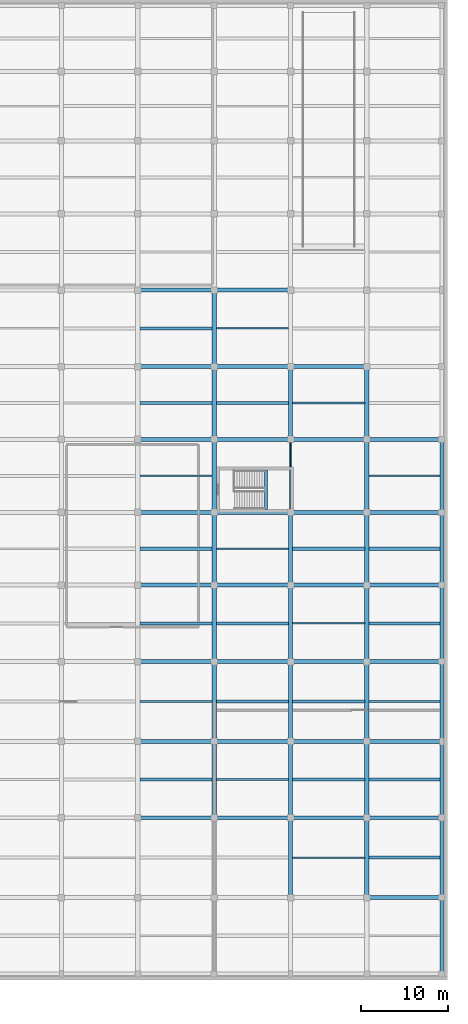
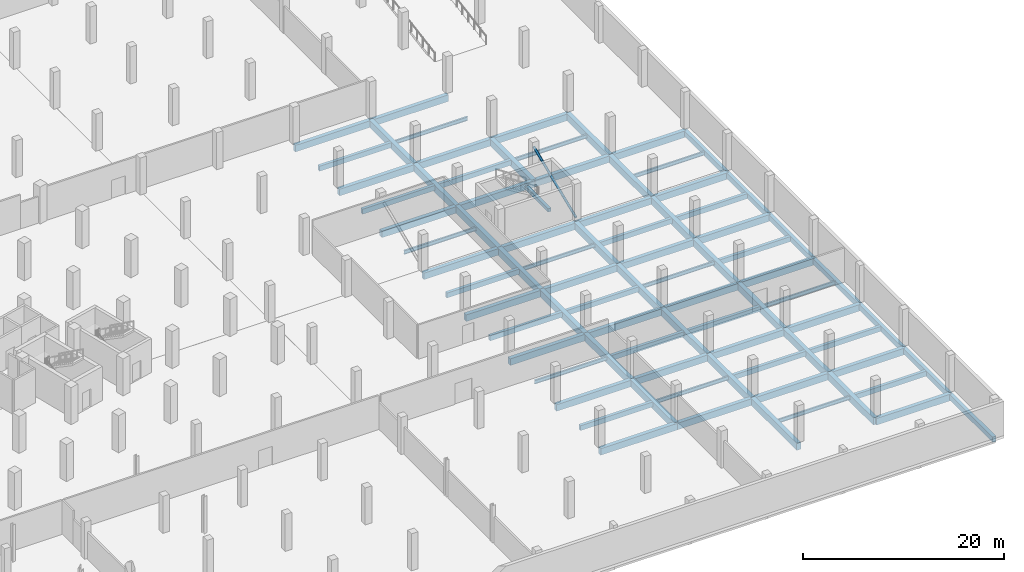
# One storey, part 15 of 31: 83 beams, 1 member.
"""IFC4 building model written with IfcOpenShell, lengths in metres."""

from ifc_helpers import new_model, si_unit, direction, frame, origin, origin_2d, place, context, subcontext, project, spatial, rectangle, hollow_circle, i_section, extrude, material, material_profile, profile_set, type_object, element, save


model = new_model("IFC4")

# Units and contexts
model_context = context("Model", 3, precision=1e-05, world=origin(), true_north=direction((0.0, 1.0)))
body_context = subcontext(model_context, "Body", "Model", "MODEL_VIEW")
ifc_project = project(units=[si_unit("LENGTHUNIT", "METRE"), si_unit("AREAUNIT", "SQUARE_METRE"), si_unit("VOLUMEUNIT", "CUBIC_METRE"), si_unit("PLANEANGLEUNIT", "RADIAN"), si_unit("MASSUNIT", "GRAM", prefix="KILO")], contexts=[model_context])

# Site, building, storey
site_placement = place(None, origin())
site = spatial("IfcSite", under=ifc_project, at=site_placement, CompositionType="ELEMENT")
building_placement = place(site_placement, origin())
building = spatial("IfcBuilding", under=site, at=building_placement, Name="Meriwether Solvik Hall", CompositionType="ELEMENT")
storey_placement = place(building_placement, frame((0.0, 0.0, -4.5)))
storey = spatial("IfcBuildingStorey", under=building, at=storey_placement, Name="B01", CompositionType="ELEMENT", Elevation=-4.5)

# Beams
ifc_material_1 = material(Name="Concrete C40/50", Category="concrete")
ifc_material_profile_1 = material_profile(ifc_material_1, rectangle(XDim=0.35009765625, YDim=0.419921875, at=origin_2d()), Name="RCB-350X420")
ifc_profile_set_1 = profile_set([ifc_material_profile_1], Name="Concrete C40/50")
beam_type_1 = type_object("IfcBeamType", Name="BM-LND-RC-350X420", PredefinedType="BEAM", material=ifc_profile_set_1)
beam_1_placement = place(storey_placement, frame((146.550048828125, 58.72998046875, 1.840087890625), z_axis=(0.0, 1.0, 0.0), x_axis=(-1.0, 0.0, 0.0)))
element("IfcBeam", 1, at=beam_1_placement, inside=storey, type_object=beam_type_1, Name="Stair ST-05 Half-Landing Header Beam (B01)", PredefinedType="BEAM", context=body_context, shape_type="SweptSolid", body=[
    extrude(rectangle(XDim=0.35009765625, YDim=0.419921875, at=origin_2d()), origin(), (0.0, 0.0, 1.0), 4.5400390625),
])
ifc_material_2 = material(Name="Concrete C40/50", Category="concrete")
ifc_material_profile_2 = material_profile(ifc_material_2, rectangle(XDim=0.35009765625, YDim=0.60009765625, at=origin_2d()), Name="RCB-350X600")
ifc_profile_set_2 = profile_set([ifc_material_profile_2], Name="Concrete C40/50")
beam_type_2 = type_object("IfcBeamType", Name="BM-RC-350X600", PredefinedType="JOIST", material=ifc_profile_set_2)
for number, where, z_axis, x_axis, name in (
    (2, (132.044921875, 27.60009765625, -0.6298828125), (1.0, 0.0, 0.0), (0.0, 1.0, 0.0), "Secondary Floor Joist 15/C (B01)"),
    (3, (132.044921875, 45.60009765625, -0.6298828125), (1.0, 0.0, 0.0), (0.0, 1.0, 0.0), "Secondary Floor Joist 15/E (B01)"),
    (4, (132.044921875, 54.199951171875, -0.6298828125), (1.0, 0.0, 0.0), (0.0, 1.0, 0.0), "Secondary Floor Joist 15/F (B01)"),
    (5, (132.044921875, 71.0, -0.6298828125), (1.0, 0.0, 0.0), (0.0, 1.0, 0.0), "Secondary Floor Joist 15/H (B01)"),
    (6, (132.044921875, 79.60009765625, -0.6298828125), (1.0, 0.0, 0.0), (0.0, 1.0, 0.0), "Secondary Floor Joist 15/I (B01)"),
    (7, (140.844970703125, 36.60009765625, -0.6298828125), (1.0, 0.0, 0.0), (0.0, 1.0, 0.0), "Secondary Floor Joist 16/D (B01)"),
    (8, (140.844970703125, 45.60009765625, -0.6298828125), (1.0, 0.0, 0.0), (0.0, 1.0, 0.0), "Secondary Floor Joist 16/E (B01)"),
    (9, (140.844970703125, 71.0, -0.6298828125), (1.0, 0.0, 0.0), (0.0, 1.0, 0.0), "Secondary Floor Joist 16/H (B01)"),
    (10, (149.64501953125, 27.60009765625, -0.6298828125), (1.0, 0.0, 0.0), (0.0, 1.0, 0.0), "Secondary Floor Joist 17/C (B01)"),
    (11, (149.64501953125, 36.60009765625, -0.6298828125), (1.0, 0.0, 0.0), (0.0, 1.0, 0.0), "Secondary Floor Joist 17/D (B01)"),
    (12, (149.64501953125, 54.199951171875, -0.6298828125), (1.0, 0.0, 0.0), (0.0, 1.0, 0.0), "Secondary Floor Joist 17/F (B01)"),
):
    element("IfcBeam", number, at=place(storey_placement, frame(where, z_axis=z_axis, x_axis=x_axis)), inside=storey, type_object=beam_type_2, Name=name, PredefinedType="JOIST", context=body_context, shape_type="SweptSolid", body=[
        extrude(rectangle(XDim=0.35009765625, YDim=0.60009765625, at=origin_2d()), origin(), (0.0, 0.0, 1.0), 8.31005859375),
    ])
for number, where, z_axis, x_axis, name in (
    (13, (158.445068359375, 18.60009765625, -0.6298828125), (1.0, 0.0, 0.0), (0.0, 1.0, 0.0), "Secondary Floor Joist 18/B (B01)"),
    (14, (158.445068359375, 27.60009765625, -0.6298828125), (1.0, 0.0, 0.0), (0.0, 1.0, 0.0), "Secondary Floor Joist 18/C (B01)"),
    (15, (158.445068359375, 45.60009765625, -0.6298828125), (1.0, 0.0, 0.0), (0.0, 1.0, 0.0), "Secondary Floor Joist 18/E (B01)"),
    (16, (158.445068359375, 54.199951171875, -0.6298828125), (1.0, 0.0, 0.0), (0.0, 1.0, 0.0), "Secondary Floor Joist 18/F (B01)"),
):
    element("IfcBeam", number, at=place(storey_placement, frame(where, z_axis=z_axis, x_axis=x_axis)), inside=storey, type_object=beam_type_2, Name=name, PredefinedType="JOIST", context=body_context, shape_type="SweptSolid", body=[
        extrude(rectangle(XDim=0.35009765625, YDim=0.60009765625, at=origin_2d()), origin(), (0.0, 0.0, 1.0), 8.159912109375),
    ])
ifc_material_3 = material(Name="Concrete C40/50", Category="concrete")
ifc_material_profile_3 = material_profile(ifc_material_3, rectangle(XDim=0.39990234375, YDim=0.64990234375, at=origin_2d()), Name="RCB-400X650")
ifc_profile_set_3 = profile_set([ifc_material_profile_3], Name="Concrete C40/50")
beam_type_3 = type_object("IfcBeamType", Name="BM-RC-400X650", PredefinedType="SPANDREL", material=ifc_profile_set_3)
beam_2_placement = place(storey_placement, frame((166.800048828125, 5.199951171875, -0.655029296875), z_axis=(0.0, 1.0, 0.0), x_axis=(-1.0, 0.0, 0.0)))
element("IfcBeam", 17, at=beam_2_placement, inside=storey, type_object=beam_type_3, Name="Podium Girder 19:A-B (B01)", PredefinedType="SPANDREL", context=body_context, shape_type="SweptSolid", body=[
    extrude(rectangle(XDim=0.39990234375, YDim=0.64990234375, at=origin_2d()), origin(), (0.0, 0.0, 1.0), 8.800048828125),
])
beam_3_placement = place(storey_placement, frame((166.800048828125, 14.0, -0.655029296875), z_axis=(0.0, 1.0, 0.0), x_axis=(-1.0, 0.0, 0.0)))
element("IfcBeam", 18, at=beam_3_placement, inside=storey, type_object=beam_type_3, Name="Podium Girder 19:B-C (B01)", PredefinedType="SPANDREL", context=body_context, shape_type="SweptSolid", body=[
    extrude(rectangle(XDim=0.39990234375, YDim=0.64990234375, at=origin_2d()), origin(), (0.0, 0.0, 1.0), 9.199951171875),
])
beam_4_placement = place(storey_placement, frame((166.800048828125, 23.199951171875, -0.655029296875), z_axis=(0.0, 1.0, 0.0), x_axis=(-1.0, 0.0, 0.0)))
element("IfcBeam", 19, at=beam_4_placement, inside=storey, type_object=beam_type_3, Name="Podium Girder 19:C-D (B01)", PredefinedType="SPANDREL", context=body_context, shape_type="SweptSolid", body=[
    extrude(rectangle(XDim=0.39990234375, YDim=0.64990234375, at=origin_2d()), origin(), (0.0, 0.0, 1.0), 8.800048828125),
])
beam_5_placement = place(storey_placement, frame((166.800048828125, 32.0, -0.655029296875), z_axis=(0.0, 1.0, 0.0), x_axis=(-1.0, 0.0, 0.0)))
element("IfcBeam", 20, at=beam_5_placement, inside=storey, type_object=beam_type_3, Name="Podium Girder 19:D-E (B01)", PredefinedType="SPANDREL", context=body_context, shape_type="SweptSolid", body=[
    extrude(rectangle(XDim=0.39990234375, YDim=0.64990234375, at=origin_2d()), origin(), (0.0, 0.0, 1.0), 9.199951171875),
])
beam_6_placement = place(storey_placement, frame((166.800048828125, 41.199951171875, -0.655029296875), z_axis=(0.0, 1.0, 0.0), x_axis=(-1.0, 0.0, 0.0)))
element("IfcBeam", 21, at=beam_6_placement, inside=storey, type_object=beam_type_3, Name="Podium Girder 19:E-F (B01)", PredefinedType="SPANDREL", context=body_context, shape_type="SweptSolid", body=[
    extrude(rectangle(XDim=0.39990234375, YDim=0.64990234375, at=origin_2d()), origin(), (0.0, 0.0, 1.0), 8.800048828125),
])
beam_7_placement = place(storey_placement, frame((166.800048828125, 50.0, -0.655029296875), z_axis=(0.0, 1.0, 0.0), x_axis=(-1.0, 0.0, 0.0)))
element("IfcBeam", 22, at=beam_7_placement, inside=storey, type_object=beam_type_3, Name="Podium Girder 19:F-G (B01)", PredefinedType="SPANDREL", context=body_context, shape_type="SweptSolid", body=[
    extrude(rectangle(XDim=0.39990234375, YDim=0.64990234375, at=origin_2d()), origin(), (0.0, 0.0, 1.0), 8.39990234375),
])
beam_8_placement = place(storey_placement, frame((166.800048828125, 58.39990234375, -0.655029296875), z_axis=(0.0, 1.0, 0.0), x_axis=(-1.0, 0.0, 0.0)))
element("IfcBeam", 23, at=beam_8_placement, inside=storey, type_object=beam_type_3, Name="Podium Girder 19:G-H (B01)", PredefinedType="SPANDREL", context=body_context, shape_type="SweptSolid", body=[
    extrude(rectangle(XDim=0.39990234375, YDim=0.64990234375, at=origin_2d()), origin(), (0.0, 0.0, 1.0), 8.400146484375),
])
ifc_material_4 = material(Name="Concrete C40/50", Category="concrete")
ifc_material_profile_4 = material_profile(ifc_material_4, rectangle(XDim=0.449951171875, YDim=0.800048828125, at=origin_2d()), Name="RCB-450X800")
ifc_profile_set_4 = profile_set([ifc_material_profile_4], Name="Concrete C40/50")
beam_type_4 = type_object("IfcBeamType", Name="BM-RC-450X800", PredefinedType="BEAM", material=ifc_profile_set_4)
beam_9_placement = place(storey_placement, frame((158.199951171875, 14.0, -0.72998046875), z_axis=(1.0, 0.0, 0.0), x_axis=(0.0, 1.0, 0.0)))
element("IfcBeam", 24, at=beam_9_placement, inside=storey, type_object=beam_type_4, Name="Podium Girder B:18-19 (B01)", PredefinedType="BEAM", context=body_context, shape_type="SweptSolid", body=[
    extrude(rectangle(XDim=0.449951171875, YDim=0.800048828125, at=origin_2d()), origin(), (0.0, 0.0, 1.0), 8.60009765625),
])
beam_10_placement = place(storey_placement, frame((131.800048828125, 23.199951171875, -0.72998046875), z_axis=(1.0, 0.0, 0.0), x_axis=(0.0, 1.0, 0.0)))
element("IfcBeam", 25, at=beam_10_placement, inside=storey, type_object=beam_type_4, Name="Podium Girder C:15-16 (B01)", PredefinedType="BEAM", context=body_context, shape_type="SweptSolid", body=[
    extrude(rectangle(XDim=0.449951171875, YDim=0.800048828125, at=origin_2d()), origin(), (0.0, 0.0, 1.0), 8.800048828125),
])
beam_11_placement = place(storey_placement, frame((140.60009765625, 23.199951171875, -0.72998046875), z_axis=(1.0, 0.0, 0.0), x_axis=(0.0, 1.0, 0.0)))
element("IfcBeam", 26, at=beam_11_placement, inside=storey, type_object=beam_type_4, Name="Podium Girder C:16-17 (B01)", PredefinedType="BEAM", context=body_context, shape_type="SweptSolid", body=[
    extrude(rectangle(XDim=0.449951171875, YDim=0.800048828125, at=origin_2d()), origin(), (0.0, 0.0, 1.0), 8.7998046875),
])
beam_12_placement = place(storey_placement, frame((149.39990234375, 23.199951171875, -0.72998046875), z_axis=(1.0, 0.0, 0.0), x_axis=(0.0, 1.0, 0.0)))
element("IfcBeam", 27, at=beam_12_placement, inside=storey, type_object=beam_type_4, Name="Podium Girder C:17-18 (B01)", PredefinedType="BEAM", context=body_context, shape_type="SweptSolid", body=[
    extrude(rectangle(XDim=0.449951171875, YDim=0.800048828125, at=origin_2d()), origin(), (0.0, 0.0, 1.0), 8.800048828125),
])
beam_13_placement = place(storey_placement, frame((158.199951171875, 23.199951171875, -0.72998046875), z_axis=(1.0, 0.0, 0.0), x_axis=(0.0, 1.0, 0.0)))
element("IfcBeam", 28, at=beam_13_placement, inside=storey, type_object=beam_type_4, Name="Podium Girder C:18-19 (B01)", PredefinedType="BEAM", context=body_context, shape_type="SweptSolid", body=[
    extrude(rectangle(XDim=0.449951171875, YDim=0.800048828125, at=origin_2d()), origin(), (0.0, 0.0, 1.0), 8.60009765625),
])
beam_14_placement = place(storey_placement, frame((131.800048828125, 32.0, -0.72998046875), z_axis=(1.0, 0.0, 0.0), x_axis=(0.0, 1.0, 0.0)))
element("IfcBeam", 29, at=beam_14_placement, inside=storey, type_object=beam_type_4, Name="Podium Girder D:15-16 (B01)", PredefinedType="BEAM", context=body_context, shape_type="SweptSolid", body=[
    extrude(rectangle(XDim=0.449951171875, YDim=0.800048828125, at=origin_2d()), origin(), (0.0, 0.0, 1.0), 8.800048828125),
])
beam_15_placement = place(storey_placement, frame((140.60009765625, 32.0, -0.72998046875), z_axis=(1.0, 0.0, 0.0), x_axis=(0.0, 1.0, 0.0)))
element("IfcBeam", 30, at=beam_15_placement, inside=storey, type_object=beam_type_4, Name="Podium Girder D:16-17 (B01)", PredefinedType="BEAM", context=body_context, shape_type="SweptSolid", body=[
    extrude(rectangle(XDim=0.449951171875, YDim=0.800048828125, at=origin_2d()), origin(), (0.0, 0.0, 1.0), 8.7998046875),
])
beam_16_placement = place(storey_placement, frame((149.39990234375, 32.0, -0.72998046875), z_axis=(1.0, 0.0, 0.0), x_axis=(0.0, 1.0, 0.0)))
element("IfcBeam", 31, at=beam_16_placement, inside=storey, type_object=beam_type_4, Name="Podium Girder D:17-18 (B01)", PredefinedType="BEAM", context=body_context, shape_type="SweptSolid", body=[
    extrude(rectangle(XDim=0.449951171875, YDim=0.800048828125, at=origin_2d()), origin(), (0.0, 0.0, 1.0), 8.800048828125),
])
beam_17_placement = place(storey_placement, frame((158.199951171875, 32.0, -0.72998046875), z_axis=(1.0, 0.0, 0.0), x_axis=(0.0, 1.0, 0.0)))
element("IfcBeam", 32, at=beam_17_placement, inside=storey, type_object=beam_type_4, Name="Podium Girder D:18-19 (B01)", PredefinedType="BEAM", context=body_context, shape_type="SweptSolid", body=[
    extrude(rectangle(XDim=0.449951171875, YDim=0.800048828125, at=origin_2d()), origin(), (0.0, 0.0, 1.0), 8.60009765625),
])
beam_18_placement = place(storey_placement, frame((131.800048828125, 41.199951171875, -0.72998046875), z_axis=(1.0, 0.0, 0.0), x_axis=(0.0, 1.0, 0.0)))
element("IfcBeam", 33, at=beam_18_placement, inside=storey, type_object=beam_type_4, Name="Podium Girder E:15-16 (B01)", PredefinedType="BEAM", context=body_context, shape_type="SweptSolid", body=[
    extrude(rectangle(XDim=0.449951171875, YDim=0.800048828125, at=origin_2d()), origin(), (0.0, 0.0, 1.0), 8.800048828125),
])
beam_19_placement = place(storey_placement, frame((140.60009765625, 41.199951171875, -0.72998046875), z_axis=(1.0, 0.0, 0.0), x_axis=(0.0, 1.0, 0.0)))
element("IfcBeam", 34, at=beam_19_placement, inside=storey, type_object=beam_type_4, Name="Podium Girder E:16-17 (B01)", PredefinedType="BEAM", context=body_context, shape_type="SweptSolid", body=[
    extrude(rectangle(XDim=0.449951171875, YDim=0.800048828125, at=origin_2d()), origin(), (0.0, 0.0, 1.0), 8.7998046875),
])
beam_20_placement = place(storey_placement, frame((149.39990234375, 41.199951171875, -0.72998046875), z_axis=(1.0, 0.0, 0.0), x_axis=(0.0, 1.0, 0.0)))
element("IfcBeam", 35, at=beam_20_placement, inside=storey, type_object=beam_type_4, Name="Podium Girder E:17-18 (B01)", PredefinedType="BEAM", context=body_context, shape_type="SweptSolid", body=[
    extrude(rectangle(XDim=0.449951171875, YDim=0.800048828125, at=origin_2d()), origin(), (0.0, 0.0, 1.0), 8.800048828125),
])
beam_21_placement = place(storey_placement, frame((158.199951171875, 41.199951171875, -0.72998046875), z_axis=(1.0, 0.0, 0.0), x_axis=(0.0, 1.0, 0.0)))
element("IfcBeam", 36, at=beam_21_placement, inside=storey, type_object=beam_type_4, Name="Podium Girder E:18-19 (B01)", PredefinedType="BEAM", context=body_context, shape_type="SweptSolid", body=[
    extrude(rectangle(XDim=0.449951171875, YDim=0.800048828125, at=origin_2d()), origin(), (0.0, 0.0, 1.0), 8.60009765625),
])
beam_22_placement = place(storey_placement, frame((131.800048828125, 50.0, -0.72998046875), z_axis=(1.0, 0.0, 0.0), x_axis=(0.0, 1.0, 0.0)))
element("IfcBeam", 37, at=beam_22_placement, inside=storey, type_object=beam_type_4, Name="Podium Girder F:15-16 (B01)", PredefinedType="BEAM", context=body_context, shape_type="SweptSolid", body=[
    extrude(rectangle(XDim=0.449951171875, YDim=0.800048828125, at=origin_2d()), origin(), (0.0, 0.0, 1.0), 8.800048828125),
])
beam_23_placement = place(storey_placement, frame((140.60009765625, 50.0, -0.72998046875), z_axis=(1.0, 0.0, 0.0), x_axis=(0.0, 1.0, 0.0)))
element("IfcBeam", 38, at=beam_23_placement, inside=storey, type_object=beam_type_4, Name="Podium Girder F:16-17 (B01)", PredefinedType="BEAM", context=body_context, shape_type="SweptSolid", body=[
    extrude(rectangle(XDim=0.449951171875, YDim=0.800048828125, at=origin_2d()), origin(), (0.0, 0.0, 1.0), 8.7998046875),
])
beam_24_placement = place(storey_placement, frame((149.39990234375, 50.0, -0.72998046875), z_axis=(1.0, 0.0, 0.0), x_axis=(0.0, 1.0, 0.0)))
element("IfcBeam", 39, at=beam_24_placement, inside=storey, type_object=beam_type_4, Name="Podium Girder F:17-18 (B01)", PredefinedType="BEAM", context=body_context, shape_type="SweptSolid", body=[
    extrude(rectangle(XDim=0.449951171875, YDim=0.800048828125, at=origin_2d()), origin(), (0.0, 0.0, 1.0), 8.800048828125),
])
beam_25_placement = place(storey_placement, frame((158.199951171875, 50.0, -0.72998046875), z_axis=(1.0, 0.0, 0.0), x_axis=(0.0, 1.0, 0.0)))
element("IfcBeam", 40, at=beam_25_placement, inside=storey, type_object=beam_type_4, Name="Podium Girder F:18-19 (B01)", PredefinedType="BEAM", context=body_context, shape_type="SweptSolid", body=[
    extrude(rectangle(XDim=0.449951171875, YDim=0.800048828125, at=origin_2d()), origin(), (0.0, 0.0, 1.0), 8.60009765625),
])
beam_26_placement = place(storey_placement, frame((131.800048828125, 58.39990234375, -0.72998046875), z_axis=(1.0, 0.0, 0.0), x_axis=(0.0, 1.0, 0.0)))
element("IfcBeam", 41, at=beam_26_placement, inside=storey, type_object=beam_type_4, Name="Podium Girder G:15-16 (B01)", PredefinedType="BEAM", context=body_context, shape_type="SweptSolid", body=[
    extrude(rectangle(XDim=0.449951171875, YDim=0.800048828125, at=origin_2d()), origin(), (0.0, 0.0, 1.0), 8.800048828125),
])
beam_27_placement = place(storey_placement, frame((140.60009765625, 58.39990234375, -0.72998046875), z_axis=(1.0, 0.0, 0.0), x_axis=(0.0, 1.0, 0.0)))
element("IfcBeam", 42, at=beam_27_placement, inside=storey, type_object=beam_type_4, Name="Podium Girder G:16-17 (B01)", PredefinedType="BEAM", context=body_context, shape_type="SweptSolid", body=[
    extrude(rectangle(XDim=0.449951171875, YDim=0.800048828125, at=origin_2d()), origin(), (0.0, 0.0, 1.0), 8.7998046875),
])
beam_28_placement = place(storey_placement, frame((149.39990234375, 58.39990234375, -0.72998046875), z_axis=(1.0, 0.0, 0.0), x_axis=(0.0, 1.0, 0.0)))
element("IfcBeam", 43, at=beam_28_placement, inside=storey, type_object=beam_type_4, Name="Podium Girder G:17-18 (B01)", PredefinedType="BEAM", context=body_context, shape_type="SweptSolid", body=[
    extrude(rectangle(XDim=0.449951171875, YDim=0.800048828125, at=origin_2d()), origin(), (0.0, 0.0, 1.0), 8.800048828125),
])
beam_29_placement = place(storey_placement, frame((158.199951171875, 58.39990234375, -0.72998046875), z_axis=(1.0, 0.0, 0.0), x_axis=(0.0, 1.0, 0.0)))
element("IfcBeam", 44, at=beam_29_placement, inside=storey, type_object=beam_type_4, Name="Podium Girder G:18-19 (B01)", PredefinedType="BEAM", context=body_context, shape_type="SweptSolid", body=[
    extrude(rectangle(XDim=0.449951171875, YDim=0.800048828125, at=origin_2d()), origin(), (0.0, 0.0, 1.0), 8.60009765625),
])
beam_30_placement = place(storey_placement, frame((131.800048828125, 66.800048828125, -0.72998046875), z_axis=(1.0, 0.0, 0.0), x_axis=(0.0, 1.0, 0.0)))
element("IfcBeam", 45, at=beam_30_placement, inside=storey, type_object=beam_type_4, Name="Podium Girder H:15-16 (B01)", PredefinedType="BEAM", context=body_context, shape_type="SweptSolid", body=[
    extrude(rectangle(XDim=0.449951171875, YDim=0.800048828125, at=origin_2d()), origin(), (0.0, 0.0, 1.0), 8.800048828125),
])
beam_31_placement = place(storey_placement, frame((140.60009765625, 66.800048828125, -0.72998046875), z_axis=(1.0, 0.0, 0.0), x_axis=(0.0, 1.0, 0.0)))
element("IfcBeam", 46, at=beam_31_placement, inside=storey, type_object=beam_type_4, Name="Podium Girder H:16-17 (B01)", PredefinedType="BEAM", context=body_context, shape_type="SweptSolid", body=[
    extrude(rectangle(XDim=0.449951171875, YDim=0.800048828125, at=origin_2d()), origin(), (0.0, 0.0, 1.0), 8.7998046875),
])
beam_32_placement = place(storey_placement, frame((149.39990234375, 66.800048828125, -0.72998046875), z_axis=(1.0, 0.0, 0.0), x_axis=(0.0, 1.0, 0.0)))
element("IfcBeam", 47, at=beam_32_placement, inside=storey, type_object=beam_type_4, Name="Podium Girder H:17-18 (B01)", PredefinedType="BEAM", context=body_context, shape_type="SweptSolid", body=[
    extrude(rectangle(XDim=0.449951171875, YDim=0.800048828125, at=origin_2d()), origin(), (0.0, 0.0, 1.0), 8.800048828125),
])
beam_33_placement = place(storey_placement, frame((158.199951171875, 66.800048828125, -0.72998046875), z_axis=(1.0, 0.0, 0.0), x_axis=(0.0, 1.0, 0.0)))
element("IfcBeam", 48, at=beam_33_placement, inside=storey, type_object=beam_type_4, Name="Podium Girder H:18-19 (B01)", PredefinedType="BEAM", context=body_context, shape_type="SweptSolid", body=[
    extrude(rectangle(XDim=0.449951171875, YDim=0.800048828125, at=origin_2d()), origin(), (0.0, 0.0, 1.0), 8.60009765625),
])
beam_34_placement = place(storey_placement, frame((131.800048828125, 75.199951171875, -0.72998046875), z_axis=(1.0, 0.0, 0.0), x_axis=(0.0, 1.0, 0.0)))
element("IfcBeam", 49, at=beam_34_placement, inside=storey, type_object=beam_type_4, Name="Podium Girder I:15-16 (B01)", PredefinedType="BEAM", context=body_context, shape_type="SweptSolid", body=[
    extrude(rectangle(XDim=0.449951171875, YDim=0.800048828125, at=origin_2d()), origin(), (0.0, 0.0, 1.0), 8.800048828125),
])
beam_35_placement = place(storey_placement, frame((140.60009765625, 75.199951171875, -0.72998046875), z_axis=(1.0, 0.0, 0.0), x_axis=(0.0, 1.0, 0.0)))
element("IfcBeam", 50, at=beam_35_placement, inside=storey, type_object=beam_type_4, Name="Podium Girder I:16-17 (B01)", PredefinedType="BEAM", context=body_context, shape_type="SweptSolid", body=[
    extrude(rectangle(XDim=0.449951171875, YDim=0.800048828125, at=origin_2d()), origin(), (0.0, 0.0, 1.0), 8.7998046875),
])
for number, where, z_axis, x_axis, name in (
    (51, (149.39990234375, 75.199951171875, -0.72998046875), (1.0, 0.0, 0.0), (0.0, 1.0, 0.0), "Podium Girder I:17-18 (B01)"),
    (52, (131.800048828125, 84.0, -0.72998046875), (1.0, 0.0, 0.0), (0.0, 1.0, 0.0), "Podium Girder J:15-16 (B01)"),
):
    element("IfcBeam", number, at=place(storey_placement, frame(where, z_axis=z_axis, x_axis=x_axis)), inside=storey, type_object=beam_type_4, Name=name, PredefinedType="BEAM", context=body_context, shape_type="SweptSolid", body=[
        extrude(rectangle(XDim=0.449951171875, YDim=0.800048828125, at=origin_2d()), origin(), (0.0, 0.0, 1.0), 8.800048828125),
    ])
beam_36_placement = place(storey_placement, frame((140.60009765625, 84.0, -0.72998046875), z_axis=(1.0, 0.0, 0.0), x_axis=(0.0, 1.0, 0.0)))
element("IfcBeam", 53, at=beam_36_placement, inside=storey, type_object=beam_type_4, Name="Podium Girder J:16-17 (B01)", PredefinedType="BEAM", context=body_context, shape_type="SweptSolid", body=[
    extrude(rectangle(XDim=0.449951171875, YDim=0.800048828125, at=origin_2d()), origin(), (0.0, 0.0, 1.0), 8.7998046875),
])
ifc_material_5 = material(Name="Concrete C40/50", Category="concrete")
ifc_material_profile_5 = material_profile(ifc_material_5, rectangle(XDim=0.5, YDim=0.85009765625, at=origin_2d()), Name="RCB-500X850")
ifc_profile_set_5 = profile_set([ifc_material_profile_5], Name="Concrete C40/50")
beam_type_5 = type_object("IfcBeamType", Name="BM-RC-500X850", PredefinedType="BEAM", material=ifc_profile_set_5)
beam_37_placement = place(storey_placement, frame((140.60009765625, 23.199951171875, -0.7548828125), z_axis=(0.0, 1.0, 0.0), x_axis=(-1.0, 0.0, 0.0)))
element("IfcBeam", 54, at=beam_37_placement, inside=storey, type_object=beam_type_5, Name="Podium Girder 16:C-D (B01)", PredefinedType="BEAM", context=body_context, shape_type="SweptSolid", body=[
    extrude(rectangle(XDim=0.5, YDim=0.85009765625, at=origin_2d()), origin(), (0.0, 0.0, 1.0), 8.800048828125),
])
beam_38_placement = place(storey_placement, frame((140.60009765625, 32.0, -0.7548828125), z_axis=(0.0, 1.0, 0.0), x_axis=(-1.0, 0.0, 0.0)))
element("IfcBeam", 55, at=beam_38_placement, inside=storey, type_object=beam_type_5, Name="Podium Girder 16:D-E (B01)", PredefinedType="BEAM", context=body_context, shape_type="SweptSolid", body=[
    extrude(rectangle(XDim=0.5, YDim=0.85009765625, at=origin_2d()), origin(), (0.0, 0.0, 1.0), 9.199951171875),
])
beam_39_placement = place(storey_placement, frame((140.60009765625, 41.199951171875, -0.7548828125), z_axis=(0.0, 1.0, 0.0), x_axis=(-1.0, 0.0, 0.0)))
element("IfcBeam", 56, at=beam_39_placement, inside=storey, type_object=beam_type_5, Name="Podium Girder 16:E-F (B01)", PredefinedType="BEAM", context=body_context, shape_type="SweptSolid", body=[
    extrude(rectangle(XDim=0.5, YDim=0.85009765625, at=origin_2d()), origin(), (0.0, 0.0, 1.0), 8.800048828125),
])
beam_40_placement = place(storey_placement, frame((140.60009765625, 50.0, -0.7548828125), z_axis=(0.0, 1.0, 0.0), x_axis=(-1.0, 0.0, 0.0)))
element("IfcBeam", 57, at=beam_40_placement, inside=storey, type_object=beam_type_5, Name="Podium Girder 16:F-G (B01)", PredefinedType="BEAM", context=body_context, shape_type="SweptSolid", body=[
    extrude(rectangle(XDim=0.5, YDim=0.85009765625, at=origin_2d()), origin(), (0.0, 0.0, 1.0), 8.39990234375),
])
beam_41_placement = place(storey_placement, frame((140.60009765625, 58.39990234375, -0.7548828125), z_axis=(0.0, 1.0, 0.0), x_axis=(-1.0, 0.0, 0.0)))
element("IfcBeam", 58, at=beam_41_placement, inside=storey, type_object=beam_type_5, Name="Podium Girder 16:G-H (B01)", PredefinedType="BEAM", context=body_context, shape_type="SweptSolid", body=[
    extrude(rectangle(XDim=0.5, YDim=0.85009765625, at=origin_2d()), origin(), (0.0, 0.0, 1.0), 8.400146484375),
])
beam_42_placement = place(storey_placement, frame((140.60009765625, 66.800048828125, -0.7548828125), z_axis=(0.0, 1.0, 0.0), x_axis=(-1.0, 0.0, 0.0)))
element("IfcBeam", 59, at=beam_42_placement, inside=storey, type_object=beam_type_5, Name="Podium Girder 16:H-I (B01)", PredefinedType="BEAM", context=body_context, shape_type="SweptSolid", body=[
    extrude(rectangle(XDim=0.5, YDim=0.85009765625, at=origin_2d()), origin(), (0.0, 0.0, 1.0), 8.39990234375),
])
beam_43_placement = place(storey_placement, frame((140.60009765625, 75.199951171875, -0.7548828125), z_axis=(0.0, 1.0, 0.0), x_axis=(-1.0, 0.0, 0.0)))
element("IfcBeam", 60, at=beam_43_placement, inside=storey, type_object=beam_type_5, Name="Podium Girder 16:I-J (B01)", PredefinedType="BEAM", context=body_context, shape_type="SweptSolid", body=[
    extrude(rectangle(XDim=0.5, YDim=0.85009765625, at=origin_2d()), origin(), (0.0, 0.0, 1.0), 8.800048828125),
])
beam_44_placement = place(storey_placement, frame((149.39990234375, 14.0, -0.7548828125), z_axis=(0.0, 1.0, 0.0), x_axis=(-1.0, 0.0, 0.0)))
element("IfcBeam", 61, at=beam_44_placement, inside=storey, type_object=beam_type_5, Name="Podium Girder 17:B-C (B01)", PredefinedType="BEAM", context=body_context, shape_type="SweptSolid", body=[
    extrude(rectangle(XDim=0.5, YDim=0.85009765625, at=origin_2d()), origin(), (0.0, 0.0, 1.0), 9.199951171875),
])
beam_45_placement = place(storey_placement, frame((149.39990234375, 23.199951171875, -0.7548828125), z_axis=(0.0, 1.0, 0.0), x_axis=(-1.0, 0.0, 0.0)))
element("IfcBeam", 62, at=beam_45_placement, inside=storey, type_object=beam_type_5, Name="Podium Girder 17:C-D (B01)", PredefinedType="BEAM", context=body_context, shape_type="SweptSolid", body=[
    extrude(rectangle(XDim=0.5, YDim=0.85009765625, at=origin_2d()), origin(), (0.0, 0.0, 1.0), 8.800048828125),
])
beam_46_placement = place(storey_placement, frame((149.39990234375, 32.0, -0.7548828125), z_axis=(0.0, 1.0, 0.0), x_axis=(-1.0, 0.0, 0.0)))
element("IfcBeam", 63, at=beam_46_placement, inside=storey, type_object=beam_type_5, Name="Podium Girder 17:D-E (B01)", PredefinedType="BEAM", context=body_context, shape_type="SweptSolid", body=[
    extrude(rectangle(XDim=0.5, YDim=0.85009765625, at=origin_2d()), origin(), (0.0, 0.0, 1.0), 9.199951171875),
])
beam_47_placement = place(storey_placement, frame((149.39990234375, 41.199951171875, -0.7548828125), z_axis=(0.0, 1.0, 0.0), x_axis=(-1.0, 0.0, 0.0)))
element("IfcBeam", 64, at=beam_47_placement, inside=storey, type_object=beam_type_5, Name="Podium Girder 17:E-F (B01)", PredefinedType="BEAM", context=body_context, shape_type="SweptSolid", body=[
    extrude(rectangle(XDim=0.5, YDim=0.85009765625, at=origin_2d()), origin(), (0.0, 0.0, 1.0), 8.800048828125),
])
for number, where, z_axis, x_axis, name in (
    (65, (149.39990234375, 50.0, -0.7548828125), (0.0, 1.0, 0.0), (-1.0, 0.0, 0.0), "Podium Girder 17:F-G (B01)"),
    (66, (149.39990234375, 66.800048828125, -0.7548828125), (0.0, 1.0, 0.0), (-1.0, 0.0, 0.0), "Podium Girder 17:H-I (B01)"),
):
    element("IfcBeam", number, at=place(storey_placement, frame(where, z_axis=z_axis, x_axis=x_axis)), inside=storey, type_object=beam_type_5, Name=name, PredefinedType="BEAM", context=body_context, shape_type="SweptSolid", body=[
        extrude(rectangle(XDim=0.5, YDim=0.85009765625, at=origin_2d()), origin(), (0.0, 0.0, 1.0), 8.39990234375),
    ])
beam_48_placement = place(storey_placement, frame((158.199951171875, 14.0, -0.7548828125), z_axis=(0.0, 1.0, 0.0), x_axis=(-1.0, 0.0, 0.0)))
element("IfcBeam", 67, at=beam_48_placement, inside=storey, type_object=beam_type_5, Name="Podium Girder 18:B-C (B01)", PredefinedType="BEAM", context=body_context, shape_type="SweptSolid", body=[
    extrude(rectangle(XDim=0.5, YDim=0.85009765625, at=origin_2d()), origin(), (0.0, 0.0, 1.0), 9.199951171875),
])
beam_49_placement = place(storey_placement, frame((158.199951171875, 23.199951171875, -0.7548828125), z_axis=(0.0, 1.0, 0.0), x_axis=(-1.0, 0.0, 0.0)))
element("IfcBeam", 68, at=beam_49_placement, inside=storey, type_object=beam_type_5, Name="Podium Girder 18:C-D (B01)", PredefinedType="BEAM", context=body_context, shape_type="SweptSolid", body=[
    extrude(rectangle(XDim=0.5, YDim=0.85009765625, at=origin_2d()), origin(), (0.0, 0.0, 1.0), 8.800048828125),
])
beam_50_placement = place(storey_placement, frame((158.199951171875, 32.0, -0.7548828125), z_axis=(0.0, 1.0, 0.0), x_axis=(-1.0, 0.0, 0.0)))
element("IfcBeam", 69, at=beam_50_placement, inside=storey, type_object=beam_type_5, Name="Podium Girder 18:D-E (B01)", PredefinedType="BEAM", context=body_context, shape_type="SweptSolid", body=[
    extrude(rectangle(XDim=0.5, YDim=0.85009765625, at=origin_2d()), origin(), (0.0, 0.0, 1.0), 9.199951171875),
])
beam_51_placement = place(storey_placement, frame((158.199951171875, 41.199951171875, -0.7548828125), z_axis=(0.0, 1.0, 0.0), x_axis=(-1.0, 0.0, 0.0)))
element("IfcBeam", 70, at=beam_51_placement, inside=storey, type_object=beam_type_5, Name="Podium Girder 18:E-F (B01)", PredefinedType="BEAM", context=body_context, shape_type="SweptSolid", body=[
    extrude(rectangle(XDim=0.5, YDim=0.85009765625, at=origin_2d()), origin(), (0.0, 0.0, 1.0), 8.800048828125),
])
beam_52_placement = place(storey_placement, frame((158.199951171875, 50.0, -0.7548828125), z_axis=(0.0, 1.0, 0.0), x_axis=(-1.0, 0.0, 0.0)))
element("IfcBeam", 71, at=beam_52_placement, inside=storey, type_object=beam_type_5, Name="Podium Girder 18:F-G (B01)", PredefinedType="BEAM", context=body_context, shape_type="SweptSolid", body=[
    extrude(rectangle(XDim=0.5, YDim=0.85009765625, at=origin_2d()), origin(), (0.0, 0.0, 1.0), 8.39990234375),
])
beam_53_placement = place(storey_placement, frame((158.199951171875, 58.39990234375, -0.7548828125), z_axis=(0.0, 1.0, 0.0), x_axis=(-1.0, 0.0, 0.0)))
element("IfcBeam", 72, at=beam_53_placement, inside=storey, type_object=beam_type_5, Name="Podium Girder 18:G-H (B01)", PredefinedType="BEAM", context=body_context, shape_type="SweptSolid", body=[
    extrude(rectangle(XDim=0.5, YDim=0.85009765625, at=origin_2d()), origin(), (0.0, 0.0, 1.0), 8.400146484375),
])
beam_54_placement = place(storey_placement, frame((158.199951171875, 66.800048828125, -0.7548828125), z_axis=(0.0, 1.0, 0.0), x_axis=(-1.0, 0.0, 0.0)))
element("IfcBeam", 73, at=beam_54_placement, inside=storey, type_object=beam_type_5, Name="Podium Girder 18:H-I (B01)", PredefinedType="BEAM", context=body_context, shape_type="SweptSolid", body=[
    extrude(rectangle(XDim=0.5, YDim=0.85009765625, at=origin_2d()), origin(), (0.0, 0.0, 1.0), 8.39990234375),
])
ifc_material_6 = material(Name="Steel A992 Grade 50", Category="steel")
ifc_material_profile_6 = material_profile(ifc_material_6, i_section(OverallWidth=0.19091796875, OverallDepth=0.45703125, WebThickness=0.009033203125, FlangeThickness=0.014404296875, at=origin_2d()), Name="W18X50")
ifc_profile_set_6 = profile_set([ifc_material_profile_6], Name="Steel A992 Grade 50")
beam_type_6 = type_object("IfcBeamType", Name="BM-STL-W18X50", PredefinedType="JOIST", material=ifc_profile_set_6)
for number, where, z_axis, x_axis, name in (
    (74, (132.044921875, 36.60009765625, -0.55859375), (1.0, 0.0, 0.0), (0.0, 1.0, 0.0), "Secondary Floor Joist 15/D (B01)"),
    (75, (132.044921875, 62.60009765625, -0.55859375), (1.0, 0.0, 0.0), (0.0, 1.0, 0.0), "Secondary Floor Joist 15/G (B01)"),
    (76, (140.844970703125, 27.60009765625, -0.55859375), (1.0, 0.0, 0.0), (0.0, 1.0, 0.0), "Secondary Floor Joist 16/C (B01)"),
    (77, (140.844970703125, 54.199951171875, -0.55859375), (1.0, 0.0, 0.0), (0.0, 1.0, 0.0), "Secondary Floor Joist 16/F (B01)"),
    (78, (140.844970703125, 79.60009765625, -0.55859375), (1.0, 0.0, 0.0), (0.0, 1.0, 0.0), "Secondary Floor Joist 16/I (B01)"),
    (79, (149.64501953125, 18.60009765625, -0.55859375), (1.0, 0.0, 0.0), (0.0, 1.0, 0.0), "Secondary Floor Joist 17/B (B01)"),
    (80, (149.64501953125, 45.60009765625, -0.55859375), (1.0, 0.0, 0.0), (0.0, 1.0, 0.0), "Secondary Floor Joist 17/E (B01)"),
    (81, (149.64501953125, 71.0, -0.55859375), (1.0, 0.0, 0.0), (0.0, 1.0, 0.0), "Secondary Floor Joist 17/H (B01)"),
):
    element("IfcBeam", number, at=place(storey_placement, frame(where, z_axis=z_axis, x_axis=x_axis)), inside=storey, type_object=beam_type_6, Name=name, PredefinedType="JOIST", context=body_context, shape_type="SweptSolid", body=[
        extrude(i_section(OverallWidth=0.19091796875, OverallDepth=0.45703125, WebThickness=0.009033203125, FlangeThickness=0.014404296875, at=origin_2d()), origin(), (0.0, 0.0, 1.0), 8.31005859375),
    ])
for number, where, z_axis, x_axis, name in (
    (82, (158.445068359375, 36.60009765625, -0.55859375), (1.0, 0.0, 0.0), (0.0, 1.0, 0.0), "Secondary Floor Joist 18/D (B01)"),
    (83, (158.445068359375, 62.60009765625, -0.55859375), (1.0, 0.0, 0.0), (0.0, 1.0, 0.0), "Secondary Floor Joist 18/G (B01)"),
):
    element("IfcBeam", number, at=place(storey_placement, frame(where, z_axis=z_axis, x_axis=x_axis)), inside=storey, type_object=beam_type_6, Name=name, PredefinedType="JOIST", context=body_context, shape_type="SweptSolid", body=[
        extrude(i_section(OverallWidth=0.19091796875, OverallDepth=0.45703125, WebThickness=0.009033203125, FlangeThickness=0.014404296875, at=origin_2d()), origin(), (0.0, 0.0, 1.0), 8.159912109375),
    ])

# Member
ifc_material_7 = material(Name="Steel A500 Grade C", Category="steel")
ifc_material_profile_7 = material_profile(ifc_material_7, hollow_circle(Radius=0.136474609375, WallThickness=0.0126953125, at=origin_2d()), Name="CHS273X12.7")
ifc_profile_set_7 = profile_set([ifc_material_profile_7], Name="Steel A500 Grade C")
member_type = type_object("IfcMemberType", Name="MEM-BR-CHS273", PredefinedType="BRACE", material=ifc_profile_set_7)
member_placement = place(storey_placement, frame((149.39990234375, 58.39990234375, 0.14990234375), z_axis=(0.0, 0.923469505925, 0.383671828035), x_axis=(-1.0, 0.0, 0.0)))
element("IfcMember", 84, at=member_placement, inside=storey, type_object=member_type, Name="Podium Diagonal Brace B01-PB4", PredefinedType="BRACE", context=body_context, shape_type="SweptSolid", body=[
    extrude(hollow_circle(Radius=0.136474609375, WallThickness=0.0126953125, at=origin_2d()), origin(), (0.0, 0.0, 1.0), 9.09619140625),
])

save(model, "model.ifc")
